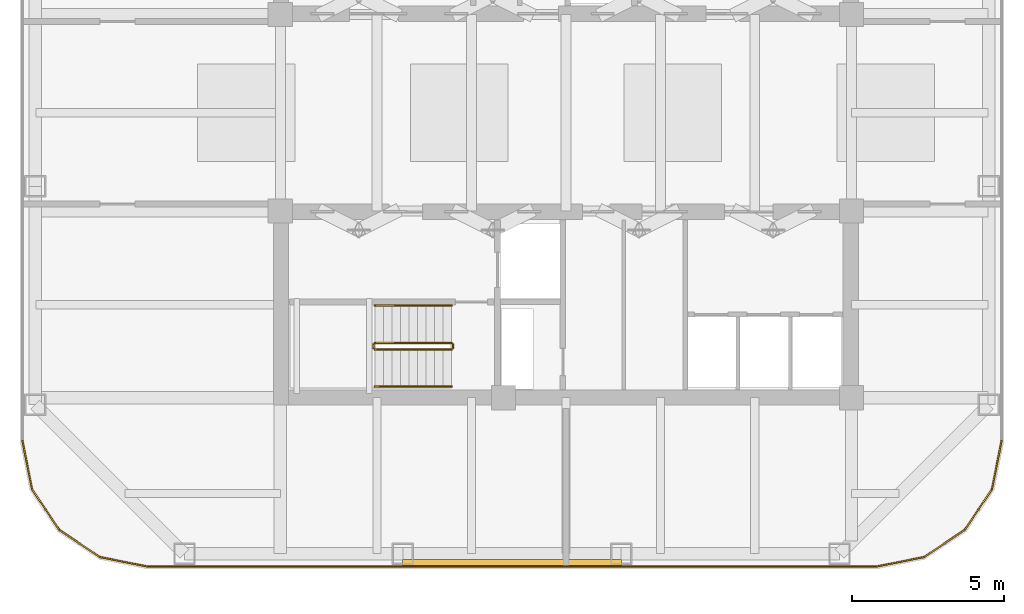
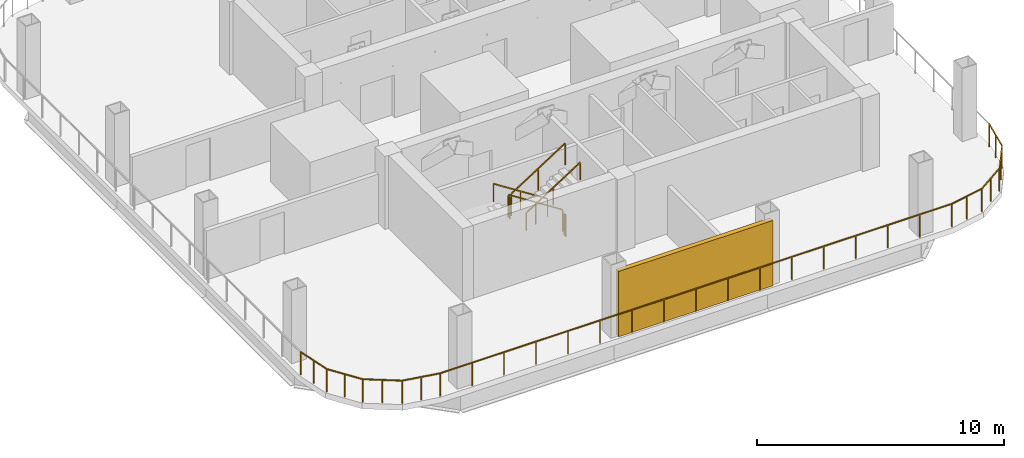
# One storey, part 5 of 9: 15 railings, 1 shading device.
"""IFC4 building model written with IfcOpenShell, lengths in metres."""

from ifc_helpers import new_model, si_unit, direction, frame, origin, origin_2d, place, context, subcontext, project, spatial, rectangle, extrude, material, type_object, element, save


model = new_model("IFC4")

# Units and contexts
model_context = context("Model", 3, precision=1e-05, world=origin(), true_north=direction((0.0, 1.0)))
body_context = subcontext(model_context, "Body", "Model", "MODEL_VIEW")
ifc_project = project(units=[si_unit("LENGTHUNIT", "METRE"), si_unit("AREAUNIT", "SQUARE_METRE"), si_unit("VOLUMEUNIT", "CUBIC_METRE"), si_unit("PLANEANGLEUNIT", "RADIAN"), si_unit("MASSUNIT", "GRAM", prefix="KILO")], contexts=[model_context])

# Site, building, storey
site_placement = place(None, origin())
site = spatial("IfcSite", under=ifc_project, at=site_placement, CompositionType="ELEMENT")
building_placement = place(site_placement, origin())
building = spatial("IfcBuilding", under=site, at=building_placement, Name="Qhalaya Broadcast Tower", CompositionType="ELEMENT")
storey_placement = place(building_placement, frame((0.0, 0.0, 191.550048828125)))
storey = spatial("IfcBuildingStorey", under=building, at=storey_placement, Name="L56", CompositionType="ELEMENT", Elevation=191.550048828125)

# Shading device
ifc_material_1 = material(Name="Fired Architectural Terracotta", Category="masonry")
shading_device_type = type_object("IfcShadingDeviceType", Name="Plant & Turbine-Slot Acoustic Louvre Screen LVS-01", PredefinedType="USERDEFINED", material=ifc_material_1)
shading_device_placement = place(storey_placement, frame((-1.77001953125, -14.179931640625, 0.0), z_axis=(0.0, 0.0, 1.0), x_axis=(1.0, 0.0, 0.0)))
element("IfcShadingDevice", 1, at=shading_device_placement, inside=storey, type_object=shading_device_type, Name="L56 Acoustic Wind Louvre Screen S", ObjectType="LOUVRE", PredefinedType="USERDEFINED", context=body_context, shape_type="SweptSolid", body=[
    extrude(rectangle(XDim=7.199951171875, YDim=0.219970703125, at=origin_2d()), origin(), (0.0, 0.0, 1.0), 3.219970703125),
])

# Railings
ifc_material_2 = material(Name="Powder-Coated Galvanised Steel", Category="steel")
railing_type_1 = type_object("IfcRailingType", Name="Stair Wall Handrail 900", PredefinedType="HANDRAIL", material=ifc_material_2)
railing_1_placement = place(storey_placement, frame((-3.75, -5.72998046875, 0.179931640625)))
element("IfcRailing", 2, at=railing_1_placement, inside=storey, type_object=railing_type_1, Name="L56 ST-2 Stair Handrail 1", PredefinedType="HANDRAIL", context=body_context, shape_type="SweptSolid", body=[
    extrude(rectangle(XDim=0.048095703125, YDim=0.048095703125, at=origin_2d()), frame((0.0, 0.0, 0.8759765625), z_axis=(-0.841162588446, 0.0, 0.540782303519), x_axis=(0.0, -1.0, 0.0)), (0.0, 0.0, 1.0), 2.995849609375),
    extrude(rectangle(XDim=0.0419921875, YDim=0.0419921875, at=origin_2d()), origin(), (0.0, 0.0, 1.0), 0.849853515625),
    extrude(rectangle(XDim=0.0419921875, YDim=0.0419921875, at=origin_2d()), frame((-1.260009765625, 0.0, 0.81005859375)), (0.0, 0.0, 1.0), 0.849853515625),
    extrude(rectangle(XDim=0.0419921875, YDim=0.0419921875, at=origin_2d()), frame((-2.52001953125, 0.0, 1.6201171875)), (0.0, 0.0, 1.0), 0.849853515625),
])
railing_2_placement = place(storey_placement, frame((-6.27001953125, -8.389892578125, 1.97998046875)))
element("IfcRailing", 3, at=railing_2_placement, inside=storey, type_object=railing_type_1, Name="L56 ST-2 Stair Handrail 2", PredefinedType="HANDRAIL", context=body_context, shape_type="SweptSolid", body=[
    extrude(rectangle(XDim=0.048095703125, YDim=0.048095703125, at=origin_2d()), frame((0.0, 0.0, 0.8759765625), z_axis=(0.841199657755, 0.0, 0.540724639528), x_axis=(0.0, 1.0, 0.0)), (0.0, 0.0, 1.0), 2.995849609375),
    extrude(rectangle(XDim=0.0419921875, YDim=0.0419921875, at=origin_2d()), origin(), (0.0, 0.0, 1.0), 0.849853515625),
    extrude(rectangle(XDim=0.0419921875, YDim=0.0419921875, at=origin_2d()), frame((1.260009765625, 0.0, 0.81005859375)), (0.0, 0.0, 1.0), 0.849853515625),
    extrude(rectangle(XDim=0.0419921875, YDim=0.0419921875, at=origin_2d()), frame((2.52001953125, 0.0, 1.619873046875)), (0.0, 0.0, 1.0), 0.849853515625),
])
railing_type_2 = type_object("IfcRailingType", Name="Stair Well & Landing Guardrail 1100", PredefinedType="GUARDRAIL", material=ifc_material_2)
railing_3_placement = place(storey_placement, frame((-3.75, -6.949951171875, 0.179931640625)))
element("IfcRailing", 4, at=railing_3_placement, inside=storey, type_object=railing_type_2, Name="L56 ST-2 Stair Guard 1", PredefinedType="GUARDRAIL", context=body_context, shape_type="SweptSolid", body=[
    extrude(rectangle(XDim=0.048095703125, YDim=0.048095703125, at=origin_2d()), frame((0.0, 0.0, 1.076171875), z_axis=(-0.841162588446, 0.0, 0.540782303519), x_axis=(0.0, -1.0, 0.0)), (0.0, 0.0, 1.0), 2.995849609375),
    extrude(rectangle(XDim=0.0419921875, YDim=0.0419921875, at=origin_2d()), origin(), (0.0, 0.0, 1.0), 1.050048828125),
    extrude(rectangle(XDim=0.0419921875, YDim=0.0419921875, at=origin_2d()), frame((-1.260009765625, 0.0, 0.81005859375)), (0.0, 0.0, 1.0), 1.050048828125),
    extrude(rectangle(XDim=0.0419921875, YDim=0.0419921875, at=origin_2d()), frame((-2.52001953125, 0.0, 1.6201171875)), (0.0, 0.0, 1.0), 1.050048828125),
])
railing_4_placement = place(storey_placement, frame((-6.320068359375, -7.0, 1.800048828125)))
element("IfcRailing", 5, at=railing_4_placement, inside=storey, type_object=railing_type_2, Name="L56 ST-2 Stair Guard 2", PredefinedType="GUARDRAIL", context=body_context, shape_type="SweptSolid", body=[
    extrude(rectangle(XDim=0.048095703125, YDim=0.048095703125, at=origin_2d()), frame((0.0, 0.0, 1.076171875), z_axis=(0.0, -1.0, 0.0), x_axis=(1.0, 0.0, 0.0)), (0.0, 0.0, 1.0), 0.1201171875),
    extrude(rectangle(XDim=0.0419921875, YDim=0.0419921875, at=origin_2d()), origin(), (0.0, 0.0, 1.0), 1.050048828125),
    extrude(rectangle(XDim=0.0419921875, YDim=0.0419921875, at=origin_2d()), frame((0.0, -0.1201171875, 0.0)), (0.0, 0.0, 1.0), 1.050048828125),
])
railing_5_placement = place(storey_placement, frame((-6.27001953125, -7.169921875, 1.97998046875)))
element("IfcRailing", 6, at=railing_5_placement, inside=storey, type_object=railing_type_2, Name="L56 ST-2 Stair Guard 3", PredefinedType="GUARDRAIL", context=body_context, shape_type="SweptSolid", body=[
    extrude(rectangle(XDim=0.048095703125, YDim=0.048095703125, at=origin_2d()), frame((0.0, 0.0, 1.076171875), z_axis=(0.841199657755, 0.0, 0.540724639528), x_axis=(0.0, 1.0, 0.0)), (0.0, 0.0, 1.0), 2.995849609375),
    extrude(rectangle(XDim=0.0419921875, YDim=0.0419921875, at=origin_2d()), origin(), (0.0, 0.0, 1.0), 1.050048828125),
    extrude(rectangle(XDim=0.0419921875, YDim=0.0419921875, at=origin_2d()), frame((1.260009765625, 0.0, 0.81005859375)), (0.0, 0.0, 1.0), 1.050048828125),
    extrude(rectangle(XDim=0.0419921875, YDim=0.0419921875, at=origin_2d()), frame((2.52001953125, 0.0, 1.619873046875)), (0.0, 0.0, 1.0), 1.050048828125),
])
railing_6_placement = place(storey_placement, frame((-3.699951171875, -7.0, 0.0)))
element("IfcRailing", 7, at=railing_6_placement, inside=storey, type_object=railing_type_2, Name="L56 ST-2 Stair Guard 4", PredefinedType="GUARDRAIL", context=body_context, shape_type="SweptSolid", body=[
    extrude(rectangle(XDim=0.048095703125, YDim=0.048095703125, at=origin_2d()), frame((0.0, 0.0, 1.076171875), z_axis=(0.0, -1.0, 0.0), x_axis=(1.0, 0.0, 0.0)), (0.0, 0.0, 1.0), 0.1201171875),
    extrude(rectangle(XDim=0.0419921875, YDim=0.0419921875, at=origin_2d()), origin(), (0.0, 0.0, 1.0), 1.050048828125),
    extrude(rectangle(XDim=0.0419921875, YDim=0.0419921875, at=origin_2d()), frame((0.0, -0.1201171875, 0.0)), (0.0, 0.0, 1.0), 1.050048828125),
])
railing_type_3 = type_object("IfcRailingType", Name="Terrace, Sky-Pool & Lookout Glass Balustrade 1150", PredefinedType="BALUSTRADE", material=ifc_material_2)
railing_7_placement = place(storey_placement, frame((10.172119140625, -14.300048828125, 0.0)))
element("IfcRailing", 8, at=railing_7_placement, inside=storey, type_object=railing_type_3, Name="L56 Wind Slot Edge Guard 01", PredefinedType="BALUSTRADE", context=body_context, shape_type="SweptSolid", body=[
    extrude(rectangle(XDim=0.048095703125, YDim=0.048095703125, at=origin_2d()), frame((0.0, 0.0, 1.1259765625), z_axis=(-1.0, 0.0, 0.0), x_axis=(0.0, -1.0, 0.0)), (0.0, 0.0, 1.0), 23.88427734375),
    extrude(rectangle(XDim=0.0419921875, YDim=0.0419921875, at=origin_2d()), origin(), (0.0, 0.0, 1.0), 1.099853515625),
    extrude(rectangle(XDim=0.0419921875, YDim=0.0419921875, at=origin_2d()), frame((-1.49267578125, 0.0, 0.0)), (0.0, 0.0, 1.0), 1.099853515625),
    extrude(rectangle(XDim=0.0419921875, YDim=0.0419921875, at=origin_2d()), frame((-2.985595703125, 0.0, 0.0)), (0.0, 0.0, 1.0), 1.099853515625),
    extrude(rectangle(XDim=0.0419921875, YDim=0.0419921875, at=origin_2d()), frame((-4.478271484375, 0.0, 0.0)), (0.0, 0.0, 1.0), 1.099853515625),
    extrude(rectangle(XDim=0.0419921875, YDim=0.0419921875, at=origin_2d()), frame((-5.97119140625, 0.0, 0.0)), (0.0, 0.0, 1.0), 1.099853515625),
    extrude(rectangle(XDim=0.0419921875, YDim=0.0419921875, at=origin_2d()), frame((-7.4638671875, 0.0, 0.0)), (0.0, 0.0, 1.0), 1.099853515625),
    extrude(rectangle(XDim=0.0419921875, YDim=0.0419921875, at=origin_2d()), frame((-8.95654296875, 0.0, 0.0)), (0.0, 0.0, 1.0), 1.099853515625),
    extrude(rectangle(XDim=0.0419921875, YDim=0.0419921875, at=origin_2d()), frame((-10.449462890625, 0.0, 0.0)), (0.0, 0.0, 1.0), 1.099853515625),
    extrude(rectangle(XDim=0.0419921875, YDim=0.0419921875, at=origin_2d()), frame((-11.942138671875, 0.0, 0.0)), (0.0, 0.0, 1.0), 1.099853515625),
    extrude(rectangle(XDim=0.0419921875, YDim=0.0419921875, at=origin_2d()), frame((-13.434814453125, 0.0, 0.0)), (0.0, 0.0, 1.0), 1.099853515625),
    extrude(rectangle(XDim=0.0419921875, YDim=0.0419921875, at=origin_2d()), frame((-14.927734375, 0.0, 0.0)), (0.0, 0.0, 1.0), 1.099853515625),
    extrude(rectangle(XDim=0.0419921875, YDim=0.0419921875, at=origin_2d()), frame((-16.42041015625, 0.0, 0.0)), (0.0, 0.0, 1.0), 1.099853515625),
    extrude(rectangle(XDim=0.0419921875, YDim=0.0419921875, at=origin_2d()), frame((-17.9130859375, 0.0, 0.0)), (0.0, 0.0, 1.0), 1.099853515625),
    extrude(rectangle(XDim=0.0419921875, YDim=0.0419921875, at=origin_2d()), frame((-19.406005859375, 0.0, 0.0)), (0.0, 0.0, 1.0), 1.099853515625),
    extrude(rectangle(XDim=0.0419921875, YDim=0.0419921875, at=origin_2d()), frame((-20.898681640625, 0.0, 0.0)), (0.0, 0.0, 1.0), 1.099853515625),
    extrude(rectangle(XDim=0.0419921875, YDim=0.0419921875, at=origin_2d()), frame((-22.3916015625, 0.0, 0.0)), (0.0, 0.0, 1.0), 1.099853515625),
    extrude(rectangle(XDim=0.0419921875, YDim=0.0419921875, at=origin_2d()), frame((-23.88427734375, 0.0, 0.0)), (0.0, 0.0, 1.0), 1.099853515625),
])
railing_8_placement = place(storey_placement, frame((-13.712158203125, -14.300048828125, 0.0)))
element("IfcRailing", 9, at=railing_8_placement, inside=storey, type_object=railing_type_3, Name="L56 Wind Slot Edge Guard 02", PredefinedType="BALUSTRADE", context=body_context, shape_type="SweptSolid", body=[
    extrude(rectangle(XDim=0.048095703125, YDim=0.048095703125, at=origin_2d()), frame((0.0, 0.0, 1.1259765625), z_axis=(-0.980772072342, 0.195156711682, 0.0), x_axis=(-0.195156711682, -0.980772072342, 0.0)), (0.0, 0.0, 1.0), 1.614990234375),
    extrude(rectangle(XDim=0.0419921875, YDim=0.0419921875, at=origin_2d()), origin(), (0.0, 0.0, 1.0), 1.099853515625),
    extrude(rectangle(XDim=0.0419921875, YDim=0.0419921875, at=origin_2d()), frame((-0.7919921875, 0.15771484375, 0.0)), (0.0, 0.0, 1.0), 1.099853515625),
    extrude(rectangle(XDim=0.0419921875, YDim=0.0419921875, at=origin_2d()), frame((-1.583984375, 0.315185546875, 0.0)), (0.0, 0.0, 1.0), 1.099853515625),
])
railing_9_placement = place(storey_placement, frame((-15.296142578125, -13.98486328125, 0.0)))
element("IfcRailing", 10, at=railing_9_placement, inside=storey, type_object=railing_type_3, Name="L56 Wind Slot Edge Guard 03", PredefinedType="BALUSTRADE", context=body_context, shape_type="SweptSolid", body=[
    extrude(rectangle(XDim=0.048095703125, YDim=0.048095703125, at=origin_2d()), frame((0.0, 0.0, 1.1259765625), z_axis=(-0.831418618142, 0.555646543594, 0.0), x_axis=(-0.555646543594, -0.831418618142, 0.0)), (0.0, 0.0, 1.0), 1.60693359375),
    extrude(rectangle(XDim=0.0419921875, YDim=0.0419921875, at=origin_2d()), origin(), (0.0, 0.0, 1.0), 1.099853515625),
    extrude(rectangle(XDim=0.0419921875, YDim=0.0419921875, at=origin_2d()), frame((-0.66796875, 0.4462890625, 0.0)), (0.0, 0.0, 1.0), 1.099853515625),
    extrude(rectangle(XDim=0.0419921875, YDim=0.0419921875, at=origin_2d()), frame((-1.3359375, 0.892822265625, 0.0)), (0.0, 0.0, 1.0), 1.099853515625),
])
railing_10_placement = place(storey_placement, frame((-16.632080078125, -13.092041015625, 0.0)))
element("IfcRailing", 11, at=railing_10_placement, inside=storey, type_object=railing_type_3, Name="L56 Wind Slot Edge Guard 04", PredefinedType="BALUSTRADE", context=body_context, shape_type="SweptSolid", body=[
    extrude(rectangle(XDim=0.048095703125, YDim=0.048095703125, at=origin_2d()), frame((0.0, 0.0, 1.1259765625), z_axis=(-0.555646543594, 0.831418618142, 0.0), x_axis=(-0.831418618142, -0.555646543594, 0.0)), (0.0, 0.0, 1.0), 1.60693359375),
    extrude(rectangle(XDim=0.0419921875, YDim=0.0419921875, at=origin_2d()), origin(), (0.0, 0.0, 1.0), 1.099853515625),
    extrude(rectangle(XDim=0.0419921875, YDim=0.0419921875, at=origin_2d()), frame((-0.4462890625, 0.66796875, 0.0)), (0.0, 0.0, 1.0), 1.099853515625),
    extrude(rectangle(XDim=0.0419921875, YDim=0.0419921875, at=origin_2d()), frame((-0.892822265625, 1.3359375, 0.0)), (0.0, 0.0, 1.0), 1.099853515625),
])
railing_11_placement = place(storey_placement, frame((-17.52490234375, -11.756103515625, 0.0)))
element("IfcRailing", 12, at=railing_11_placement, inside=storey, type_object=railing_type_3, Name="L56 Wind Slot Edge Guard 05", PredefinedType="BALUSTRADE", context=body_context, shape_type="SweptSolid", body=[
    extrude(rectangle(XDim=0.048095703125, YDim=0.048095703125, at=origin_2d()), frame((0.0, 0.0, 1.1259765625), z_axis=(-0.195156711682, 0.980772072342, 0.0), x_axis=(-0.980772072342, -0.195156711682, 0.0)), (0.0, 0.0, 1.0), 1.614990234375),
    extrude(rectangle(XDim=0.0419921875, YDim=0.0419921875, at=origin_2d()), origin(), (0.0, 0.0, 1.0), 1.099853515625),
    extrude(rectangle(XDim=0.0419921875, YDim=0.0419921875, at=origin_2d()), frame((-0.15771484375, 0.7919921875, 0.0)), (0.0, 0.0, 1.0), 1.099853515625),
    extrude(rectangle(XDim=0.0419921875, YDim=0.0419921875, at=origin_2d()), frame((-0.315185546875, 1.583984375, 0.0)), (0.0, 0.0, 1.0), 1.099853515625),
])
railing_12_placement = place(storey_placement, frame((14.300048828125, -10.172119140625, 0.0)))
element("IfcRailing", 13, at=railing_12_placement, inside=storey, type_object=railing_type_3, Name="L56 Wind Slot Edge Guard 17", PredefinedType="BALUSTRADE", context=body_context, shape_type="SweptSolid", body=[
    extrude(rectangle(XDim=0.048095703125, YDim=0.048095703125, at=origin_2d()), frame((0.0, 0.0, 1.1259765625), z_axis=(-0.195156711682, -0.980772072342, 0.0), x_axis=(0.980772072342, -0.195156711682, 0.0)), (0.0, 0.0, 1.0), 1.614990234375),
    extrude(rectangle(XDim=0.0419921875, YDim=0.0419921875, at=origin_2d()), origin(), (0.0, 0.0, 1.0), 1.099853515625),
    extrude(rectangle(XDim=0.0419921875, YDim=0.0419921875, at=origin_2d()), frame((-0.15771484375, -0.7919921875, 0.0)), (0.0, 0.0, 1.0), 1.099853515625),
    extrude(rectangle(XDim=0.0419921875, YDim=0.0419921875, at=origin_2d()), frame((-0.315185546875, -1.583984375, 0.0)), (0.0, 0.0, 1.0), 1.099853515625),
])
railing_13_placement = place(storey_placement, frame((13.98486328125, -11.756103515625, 0.0)))
element("IfcRailing", 14, at=railing_13_placement, inside=storey, type_object=railing_type_3, Name="L56 Wind Slot Edge Guard 18", PredefinedType="BALUSTRADE", context=body_context, shape_type="SweptSolid", body=[
    extrude(rectangle(XDim=0.048095703125, YDim=0.048095703125, at=origin_2d()), frame((0.0, 0.0, 1.1259765625), z_axis=(-0.555646543594, -0.831418618142, 0.0), x_axis=(0.831418618142, -0.555646543594, 0.0)), (0.0, 0.0, 1.0), 1.60693359375),
    extrude(rectangle(XDim=0.0419921875, YDim=0.0419921875, at=origin_2d()), origin(), (0.0, 0.0, 1.0), 1.099853515625),
    extrude(rectangle(XDim=0.0419921875, YDim=0.0419921875, at=origin_2d()), frame((-0.4462890625, -0.66796875, 0.0)), (0.0, 0.0, 1.0), 1.099853515625),
    extrude(rectangle(XDim=0.0419921875, YDim=0.0419921875, at=origin_2d()), frame((-0.892822265625, -1.3359375, 0.0)), (0.0, 0.0, 1.0), 1.099853515625),
])
railing_14_placement = place(storey_placement, frame((13.092041015625, -13.092041015625, 0.0)))
element("IfcRailing", 15, at=railing_14_placement, inside=storey, type_object=railing_type_3, Name="L56 Wind Slot Edge Guard 19", PredefinedType="BALUSTRADE", context=body_context, shape_type="SweptSolid", body=[
    extrude(rectangle(XDim=0.048095703125, YDim=0.048095703125, at=origin_2d()), frame((0.0, 0.0, 1.1259765625), z_axis=(-0.831418618142, -0.555646543594, 0.0), x_axis=(0.555646543594, -0.831418618142, 0.0)), (0.0, 0.0, 1.0), 1.60693359375),
    extrude(rectangle(XDim=0.0419921875, YDim=0.0419921875, at=origin_2d()), origin(), (0.0, 0.0, 1.0), 1.099853515625),
    extrude(rectangle(XDim=0.0419921875, YDim=0.0419921875, at=origin_2d()), frame((-0.66796875, -0.4462890625, 0.0)), (0.0, 0.0, 1.0), 1.099853515625),
    extrude(rectangle(XDim=0.0419921875, YDim=0.0419921875, at=origin_2d()), frame((-1.3359375, -0.892822265625, 0.0)), (0.0, 0.0, 1.0), 1.099853515625),
])
railing_15_placement = place(storey_placement, frame((11.756103515625, -13.98486328125, 0.0)))
element("IfcRailing", 16, at=railing_15_placement, inside=storey, type_object=railing_type_3, Name="L56 Wind Slot Edge Guard 20", PredefinedType="BALUSTRADE", context=body_context, shape_type="SweptSolid", body=[
    extrude(rectangle(XDim=0.048095703125, YDim=0.048095703125, at=origin_2d()), frame((0.0, 0.0, 1.1259765625), z_axis=(-0.980772072342, -0.195156711682, 0.0), x_axis=(0.195156711682, -0.980772072342, 0.0)), (0.0, 0.0, 1.0), 1.614990234375),
    extrude(rectangle(XDim=0.0419921875, YDim=0.0419921875, at=origin_2d()), origin(), (0.0, 0.0, 1.0), 1.099853515625),
    extrude(rectangle(XDim=0.0419921875, YDim=0.0419921875, at=origin_2d()), frame((-0.7919921875, -0.15771484375, 0.0)), (0.0, 0.0, 1.0), 1.099853515625),
    extrude(rectangle(XDim=0.0419921875, YDim=0.0419921875, at=origin_2d()), frame((-1.583984375, -0.315185546875, 0.0)), (0.0, 0.0, 1.0), 1.099853515625),
])

save(model, "model.ifc")
